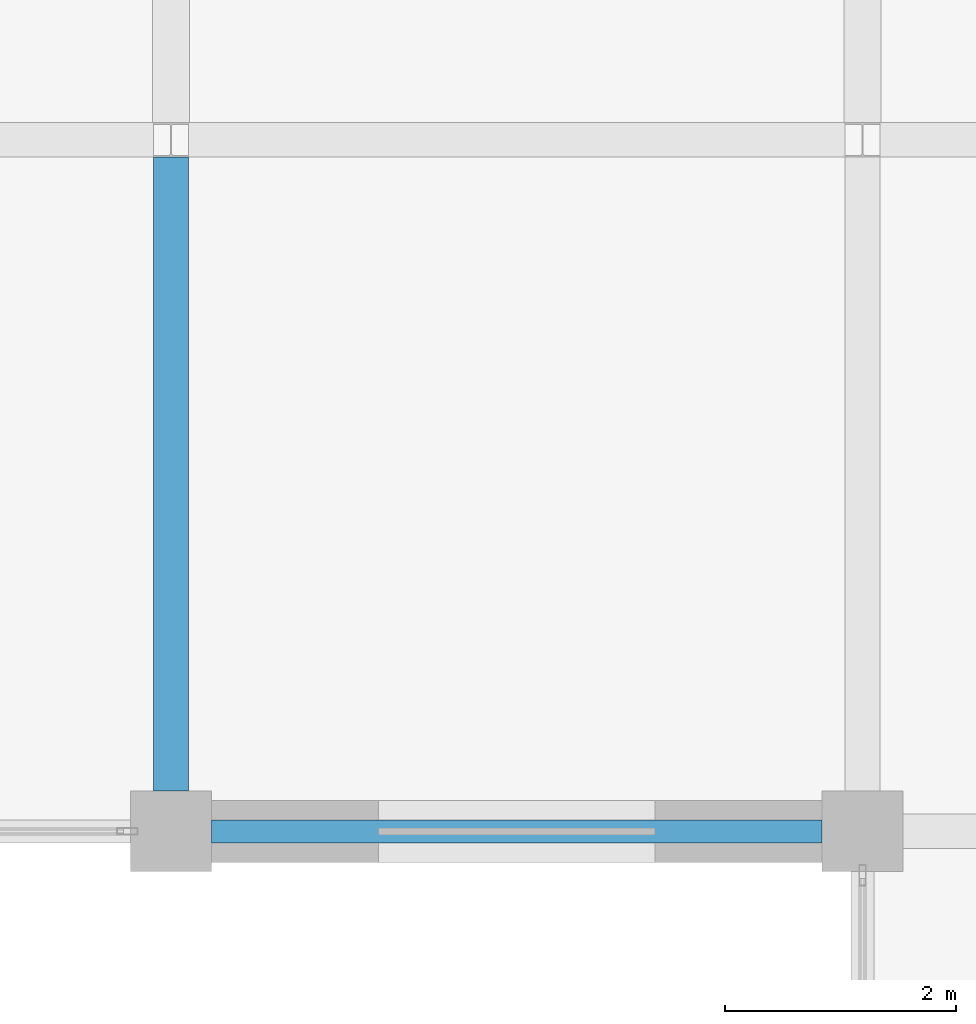
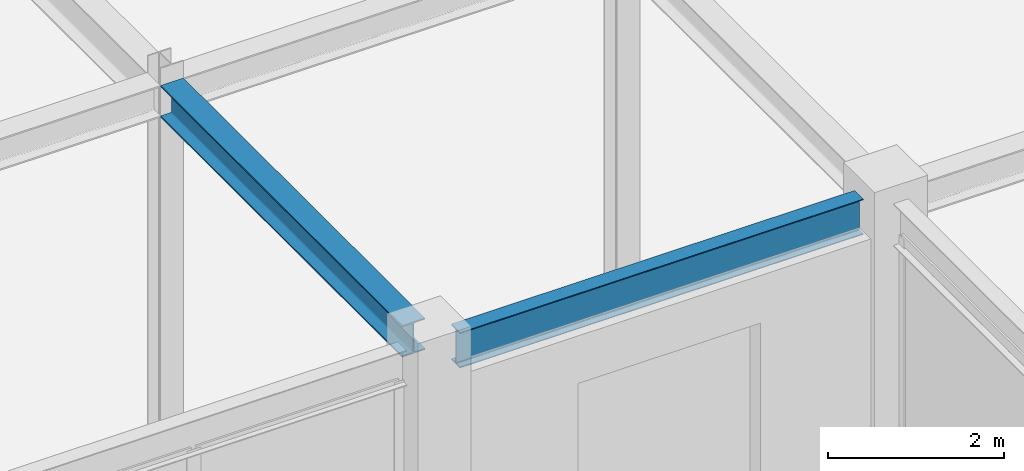
# One storey, part 57 of 108: 2 beams.
"""IFC4 building model written with IfcOpenShell, lengths in metres."""

from ifc_helpers import new_model, si_unit, direction, frame, origin, origin_2d, place, context, subcontext, project, spatial, i_section, extrude, material, material_profile, profile_set, type_object, element, save


model = new_model("IFC4")

# Units and contexts
model_context = context("Model", 3, precision=1e-05, world=origin(), true_north=direction((0.0, 1.0)))
body_context = subcontext(model_context, "Body", "Model", "MODEL_VIEW")
ifc_project = project(units=[si_unit("LENGTHUNIT", "METRE"), si_unit("AREAUNIT", "SQUARE_METRE"), si_unit("VOLUMEUNIT", "CUBIC_METRE"), si_unit("PLANEANGLEUNIT", "RADIAN"), si_unit("MASSUNIT", "GRAM", prefix="KILO")], contexts=[model_context])

# Site, building, storey
site_placement = place(None, origin())
site = spatial("IfcSite", under=ifc_project, at=site_placement, CompositionType="ELEMENT")
building_placement = place(site_placement, origin())
building = spatial("IfcBuilding", under=site, at=building_placement, Name="Zlatovratsky Civic Hall", CompositionType="ELEMENT")
storey_placement = place(building_placement, frame((0.0, 0.0, 6.0)))
storey = spatial("IfcBuildingStorey", under=building, at=storey_placement, Name="L02", CompositionType="ELEMENT", Elevation=6.0)

# Beams
ifc_material = material(Name="Steel S355", Category="steel")
ifc_material_profile_1 = material_profile(ifc_material, i_section(OverallWidth=0.198974609375, OverallDepth=0.491943359375, WebThickness=0.0087890625, FlangeThickness=0.011962890625, FilletRadius=0.01611328125, at=origin_2d()), Name="50B1")
ifc_profile_set_1 = profile_set([ifc_material_profile_1], Name="Steel S355")
beam_type_1 = type_object("IfcBeamType", Name="Beam_Spandrel_50B1", PredefinedType="SPANDREL", material=ifc_profile_set_1)
beam_1_placement = place(storey_placement, frame((108.35009765625, 12.0, 5.513916015625), z_axis=(1.0, 0.0, 0.0), x_axis=(0.0, 1.0, 0.0)))
element("IfcBeam", 1, at=beam_1_placement, inside=storey, type_object=beam_type_1, Name="BM-1754", PredefinedType="SPANDREL", context=body_context, shape_type="SweptSolid", body=[
    extrude(i_section(OverallWidth=0.198974609375, OverallDepth=0.491943359375, WebThickness=0.0087890625, FlangeThickness=0.011962890625, FilletRadius=0.01611328125, at=origin_2d()), origin(), (0.0, 0.0, 1.0), 5.2998046875),
])
ifc_material_profile_2 = material_profile(ifc_material, i_section(OverallWidth=0.300048828125, OverallDepth=0.43994140625, WebThickness=0.010986328125, FlangeThickness=0.01806640625, FilletRadius=0.02197265625, at=origin_2d()), Name="45Sh1")
ifc_profile_set_2 = profile_set([ifc_material_profile_2], Name="Steel S355")
beam_type_2 = type_object("IfcBeamType", Name="Beam_TowerLow_45Sh1", PredefinedType="BEAM", material=ifc_profile_set_2)
beam_2_placement = place(storey_placement, frame((108.0, 12.35009765625, 5.5400390625), z_axis=(0.0, 1.0, 0.0), x_axis=(-1.0, 0.0, 0.0)))
element("IfcBeam", 2, at=beam_2_placement, inside=storey, type_object=beam_type_2, Name="BM-2266", PredefinedType="BEAM", context=body_context, shape_type="SweptSolid", body=[
    extrude(i_section(OverallWidth=0.300048828125, OverallDepth=0.43994140625, WebThickness=0.010986328125, FlangeThickness=0.01806640625, FilletRadius=0.02197265625, at=origin_2d()), origin(), (0.0, 0.0, 1.0), 5.5),
])

save(model, "model.ifc")
